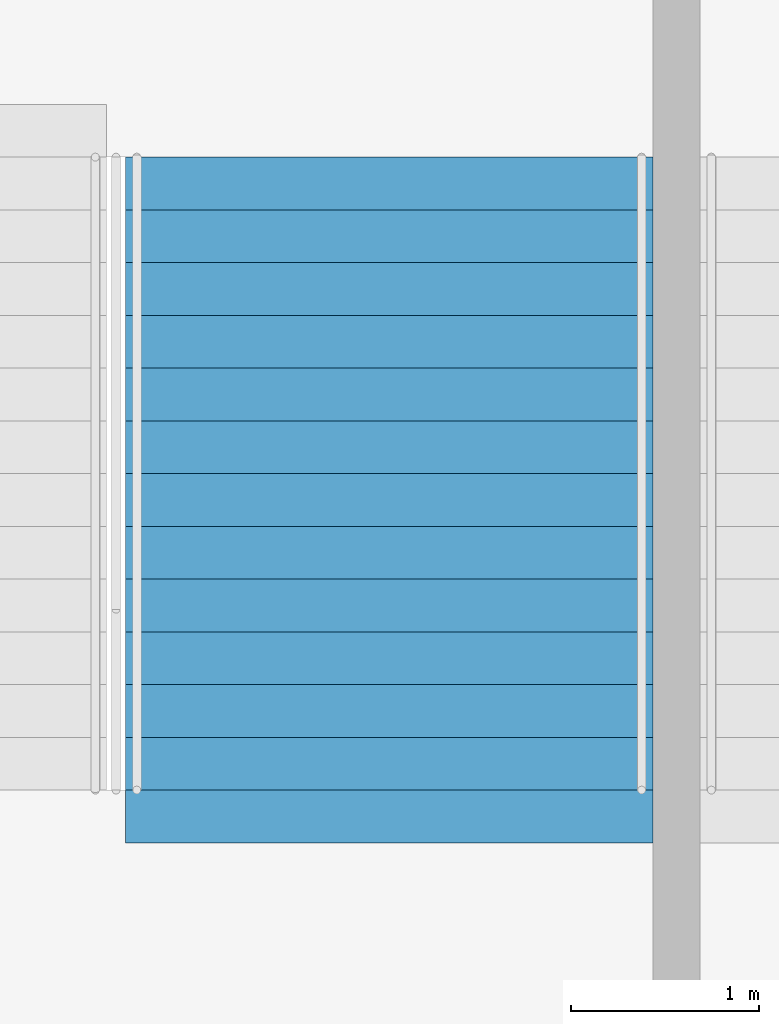
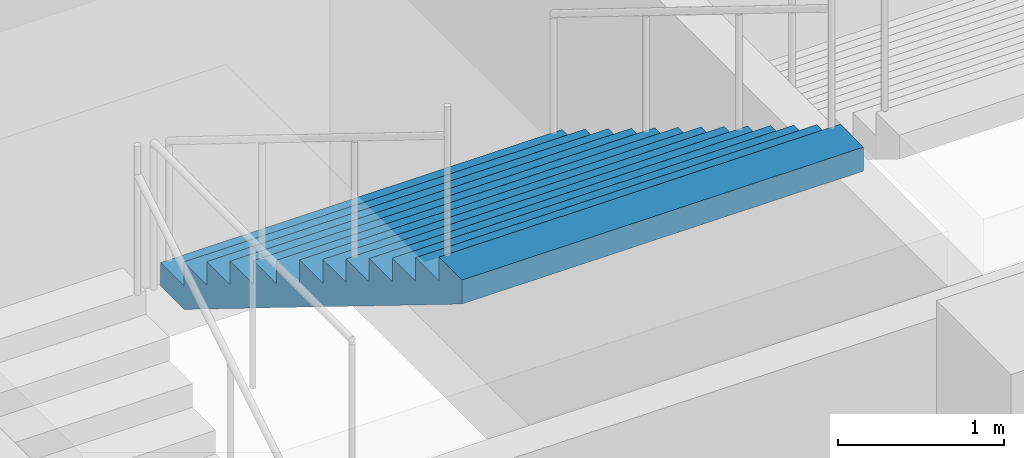
# One storey, part 212 of 249: 1 stair flight, 1 element without a shape of its own.
"""IFC4 building model written with IfcOpenShell, lengths in metres."""

from ifc_helpers import new_model, si_unit, direction, frame, origin, place, context, subcontext, project, spatial, faceted_brep, material, type_object, element, aggregate, save


model = new_model("IFC4")

# Units and contexts
model_context = context("Model", 3, precision=1e-05, world=origin(), true_north=direction((0.0, 1.0)))
body_context = subcontext(model_context, "Body", "Model", "MODEL_VIEW")
ifc_project = project(units=[si_unit("LENGTHUNIT", "METRE"), si_unit("AREAUNIT", "SQUARE_METRE"), si_unit("VOLUMEUNIT", "CUBIC_METRE"), si_unit("PLANEANGLEUNIT", "RADIAN"), si_unit("MASSUNIT", "GRAM", prefix="KILO")], contexts=[model_context])

# Site, building, storey
site_placement = place(None, origin())
site = spatial("IfcSite", under=ifc_project, at=site_placement, CompositionType="ELEMENT")
building_placement = place(site_placement, origin())
building = spatial("IfcBuilding", under=site, at=building_placement, Name="Ogive Plaza Stadium", CompositionType="ELEMENT")
storey_placement = place(building_placement, frame((0.0, 0.0, 13.5)))
storey = spatial("IfcBuildingStorey", under=building, at=storey_placement, Name="L03", CompositionType="ELEMENT", Elevation=13.5)

# Stair, stair flight
ifc_material_1 = material(Name="Concrete C40/50", Category="concrete")
stair_type = type_object("IfcStairType", Name="Exit stair", PredefinedType="STRAIGHT_RUN_STAIR", material=ifc_material_1)
stair_placement = place(storey_placement, origin())
stair = element("IfcStair", 1, at=stair_placement, inside=storey, type_object=stair_type, Name="Exit stair ST34B L03 to L04", PredefinedType="STRAIGHT_RUN_STAIR")
ifc_material_2 = material(Name="Concrete C40/50", Category="concrete")
stair_flight_type = type_object("IfcStairFlightType", Name="Exit stair flight", PredefinedType="STRAIGHT", material=ifc_material_2)
stair_flight_placement = place(storey_placement, frame((-8.324951171875, 98.2099609375, 2.25), z_axis=(0.0, 0.0, 1.0), x_axis=(0.0, -1.0, 0.0)))
stair_flight = element("IfcStairFlight", 2, at=stair_flight_placement, type_object=stair_flight_type, Name="ST34B flight 2", NumberOfRisers=13, NumberOfTreads=12, PredefinedType="STRAIGHT", RiserHeight=0.173076923, TreadLength=0.28, context=body_context, shape_type="Brep", body=[
    faceted_brep([(0.28515625, -1.39990234375, 0.0), (3.639892578125, -1.39990234375, 2.07373046875), (3.639892578125, -1.39990234375, 2.25), (3.360107421875, -1.39990234375, 2.25), (3.360107421875, -1.39990234375, 2.076904296875), (3.080078125, -1.39990234375, 2.076904296875), (3.080078125, -1.39990234375, 1.90380859375), (2.800048828125, -1.39990234375, 1.90380859375), (2.800048828125, -1.39990234375, 1.730712890625), (2.52001953125, -1.39990234375, 1.730712890625), (2.52001953125, -1.39990234375, 1.5576171875), (2.239990234375, -1.39990234375, 1.5576171875), (2.239990234375, -1.39990234375, 1.384521484375), (1.9599609375, -1.39990234375, 1.384521484375), (1.9599609375, -1.39990234375, 1.21142578125), (1.679931640625, -1.39990234375, 1.21142578125), (1.679931640625, -1.39990234375, 1.03857421875), (1.39990234375, -1.39990234375, 1.03857421875), (1.39990234375, -1.39990234375, 0.865478515625), (1.1201171875, -1.39990234375, 0.865478515625), (1.1201171875, -1.39990234375, 0.6923828125), (0.840087890625, -1.39990234375, 0.6923828125), (0.840087890625, -1.39990234375, 0.519287109375), (0.56005859375, -1.39990234375, 0.519287109375), (0.56005859375, -1.39990234375, 0.34619140625), (0.280029296875, -1.39990234375, 0.34619140625), (0.280029296875, -1.39990234375, 0.173095703125), (0.0, -1.39990234375, 0.173095703125), (0.0, -1.39990234375, 0.0), (0.0, 1.39990234375, 0.0), (0.0, 1.39990234375, 0.173095703125), (0.280029296875, 1.39990234375, 0.173095703125), (0.280029296875, 1.39990234375, 0.34619140625), (0.56005859375, 1.39990234375, 0.34619140625), (0.56005859375, 1.39990234375, 0.519287109375), (0.840087890625, 1.39990234375, 0.519287109375), (0.840087890625, 1.39990234375, 0.6923828125), (1.1201171875, 1.39990234375, 0.6923828125), (1.1201171875, 1.39990234375, 0.865478515625), (1.39990234375, 1.39990234375, 0.865478515625), (1.39990234375, 1.39990234375, 1.03857421875), (1.679931640625, 1.39990234375, 1.03857421875), (1.679931640625, 1.39990234375, 1.21142578125), (1.9599609375, 1.39990234375, 1.21142578125), (1.9599609375, 1.39990234375, 1.384521484375), (2.239990234375, 1.39990234375, 1.384521484375), (2.239990234375, 1.39990234375, 1.5576171875), (2.52001953125, 1.39990234375, 1.5576171875), (2.52001953125, 1.39990234375, 1.730712890625), (2.800048828125, 1.39990234375, 1.730712890625), (2.800048828125, 1.39990234375, 1.90380859375), (3.080078125, 1.39990234375, 1.90380859375), (3.080078125, 1.39990234375, 2.076904296875), (3.360107421875, 1.39990234375, 2.076904296875), (3.360107421875, 1.39990234375, 2.25), (3.639892578125, 1.39990234375, 2.25), (3.639892578125, 1.39990234375, 2.07373046875), (0.28515625, 1.39990234375, 0.0), (0.28515625, -1.0888671875, 0.0), (3.639892578125, -1.0888671875, 2.07373046875), (0.28515625, -0.77783203125, 0.0), (3.639892578125, -0.77783203125, 2.07373046875), (0.28515625, -0.466796875, 0.0), (3.639892578125, -0.466796875, 2.07373046875), (0.28515625, -0.155517578125, 0.0), (3.639892578125, -0.155517578125, 2.07373046875), (0.28515625, 0.155517578125, 0.0), (3.639892578125, 0.155517578125, 2.07373046875), (0.28515625, 0.466796875, 0.0), (3.639892578125, 0.466796875, 2.07373046875), (0.28515625, 0.77783203125, 0.0), (3.639892578125, 0.77783203125, 2.07373046875), (0.28515625, 1.0888671875, 0.0), (3.639892578125, 1.0888671875, 2.07373046875), (3.639892578125, -1.0888671875, 2.25), (3.639892578125, -0.77783203125, 2.25), (3.639892578125, -0.466796875, 2.25), (3.639892578125, -0.155517578125, 2.25), (3.639892578125, 0.155517578125, 2.25), (3.639892578125, 0.466796875, 2.25), (3.639892578125, 0.77783203125, 2.25), (3.639892578125, 1.0888671875, 2.25), (3.360107421875, -1.0888671875, 2.25), (3.360107421875, -0.77783203125, 2.25), (3.360107421875, -0.466796875, 2.25), (3.360107421875, -0.155517578125, 2.25), (3.360107421875, 0.155517578125, 2.25), (3.360107421875, 0.466796875, 2.25), (3.360107421875, 0.77783203125, 2.25), (3.360107421875, 1.0888671875, 2.25), (3.360107421875, -1.0888671875, 2.076904296875), (3.360107421875, -0.77783203125, 2.076904296875), (3.360107421875, -0.466796875, 2.076904296875), (3.360107421875, -0.155517578125, 2.076904296875), (3.360107421875, 0.155517578125, 2.076904296875), (3.360107421875, 0.466796875, 2.076904296875), (3.360107421875, 0.77783203125, 2.076904296875), (3.360107421875, 1.0888671875, 2.076904296875), (3.080078125, -1.0888671875, 2.076904296875), (3.080078125, -0.77783203125, 2.076904296875), (3.080078125, -0.466796875, 2.076904296875), (3.080078125, -0.155517578125, 2.076904296875), (3.080078125, 0.155517578125, 2.076904296875), (3.080078125, 0.466796875, 2.076904296875), (3.080078125, 0.77783203125, 2.076904296875), (3.080078125, 1.0888671875, 2.076904296875), (3.080078125, -1.0888671875, 1.90380859375), (3.080078125, -0.77783203125, 1.90380859375), (3.080078125, -0.466796875, 1.90380859375), (3.080078125, -0.155517578125, 1.90380859375), (3.080078125, 0.155517578125, 1.90380859375), (3.080078125, 0.466796875, 1.90380859375), (3.080078125, 0.77783203125, 1.90380859375), (3.080078125, 1.0888671875, 1.90380859375), (2.800048828125, -1.0888671875, 1.90380859375), (2.800048828125, -0.77783203125, 1.90380859375), (2.800048828125, -0.466796875, 1.90380859375), (2.800048828125, -0.155517578125, 1.90380859375), (2.800048828125, 0.155517578125, 1.90380859375), (2.800048828125, 0.466796875, 1.90380859375), (2.800048828125, 0.77783203125, 1.90380859375), (2.800048828125, 1.0888671875, 1.90380859375), (2.800048828125, -1.0888671875, 1.730712890625), (2.800048828125, -0.77783203125, 1.730712890625), (2.800048828125, -0.466796875, 1.730712890625), (2.800048828125, -0.155517578125, 1.730712890625), (2.800048828125, 0.155517578125, 1.730712890625), (2.800048828125, 0.466796875, 1.730712890625), (2.800048828125, 0.77783203125, 1.730712890625), (2.800048828125, 1.0888671875, 1.730712890625), (2.52001953125, -1.0888671875, 1.730712890625), (2.52001953125, -0.77783203125, 1.730712890625), (2.52001953125, -0.466796875, 1.730712890625), (2.52001953125, -0.155517578125, 1.730712890625), (2.52001953125, 0.155517578125, 1.730712890625), (2.52001953125, 0.466796875, 1.730712890625), (2.52001953125, 0.77783203125, 1.730712890625), (2.52001953125, 1.0888671875, 1.730712890625), (2.52001953125, -1.0888671875, 1.5576171875), (2.52001953125, -0.77783203125, 1.5576171875), (2.52001953125, -0.466796875, 1.5576171875), (2.52001953125, -0.155517578125, 1.5576171875), (2.52001953125, 0.155517578125, 1.5576171875), (2.52001953125, 0.466796875, 1.5576171875), (2.52001953125, 0.77783203125, 1.5576171875), (2.52001953125, 1.0888671875, 1.5576171875), (2.239990234375, -1.0888671875, 1.5576171875), (2.239990234375, -0.77783203125, 1.5576171875), (2.239990234375, -0.466796875, 1.5576171875), (2.239990234375, -0.155517578125, 1.5576171875), (2.239990234375, 0.155517578125, 1.5576171875), (2.239990234375, 0.466796875, 1.5576171875), (2.239990234375, 0.77783203125, 1.5576171875), (2.239990234375, 1.0888671875, 1.5576171875), (2.239990234375, -1.0888671875, 1.384521484375), (2.239990234375, -0.77783203125, 1.384521484375), (2.239990234375, -0.466796875, 1.384521484375), (2.239990234375, -0.155517578125, 1.384521484375), (2.239990234375, 0.155517578125, 1.384521484375), (2.239990234375, 0.466796875, 1.384521484375), (2.239990234375, 0.77783203125, 1.384521484375), (2.239990234375, 1.0888671875, 1.384521484375), (1.9599609375, -1.0888671875, 1.384521484375), (1.9599609375, -0.77783203125, 1.384521484375), (1.9599609375, -0.466796875, 1.384521484375), (1.9599609375, -0.155517578125, 1.384521484375), (1.9599609375, 0.155517578125, 1.384521484375), (1.9599609375, 0.466796875, 1.384521484375), (1.9599609375, 0.77783203125, 1.384521484375), (1.9599609375, 1.0888671875, 1.384521484375), (1.9599609375, -1.0888671875, 1.21142578125), (1.9599609375, -0.77783203125, 1.21142578125), (1.9599609375, -0.466796875, 1.21142578125), (1.9599609375, -0.155517578125, 1.21142578125), (1.9599609375, 0.155517578125, 1.21142578125), (1.9599609375, 0.466796875, 1.21142578125), (1.9599609375, 0.77783203125, 1.21142578125), (1.9599609375, 1.0888671875, 1.21142578125), (1.679931640625, -1.0888671875, 1.21142578125), (1.679931640625, -0.77783203125, 1.21142578125), (1.679931640625, -0.466796875, 1.21142578125), (1.679931640625, -0.155517578125, 1.21142578125), (1.679931640625, 0.155517578125, 1.21142578125), (1.679931640625, 0.466796875, 1.21142578125), (1.679931640625, 0.77783203125, 1.21142578125), (1.679931640625, 1.0888671875, 1.21142578125), (1.679931640625, -1.0888671875, 1.03857421875), (1.679931640625, -0.77783203125, 1.03857421875), (1.679931640625, -0.466796875, 1.03857421875), (1.679931640625, -0.155517578125, 1.03857421875), (1.679931640625, 0.155517578125, 1.03857421875), (1.679931640625, 0.466796875, 1.03857421875), (1.679931640625, 0.77783203125, 1.03857421875), (1.679931640625, 1.0888671875, 1.03857421875), (1.39990234375, -1.0888671875, 1.03857421875), (1.39990234375, -0.77783203125, 1.03857421875), (1.39990234375, -0.466796875, 1.03857421875), (1.39990234375, -0.155517578125, 1.03857421875), (1.39990234375, 0.155517578125, 1.03857421875), (1.39990234375, 0.466796875, 1.03857421875), (1.39990234375, 0.77783203125, 1.03857421875), (1.39990234375, 1.0888671875, 1.03857421875), (1.39990234375, -1.0888671875, 0.865478515625), (1.39990234375, -0.77783203125, 0.865478515625), (1.39990234375, -0.466796875, 0.865478515625), (1.39990234375, -0.155517578125, 0.865478515625), (1.39990234375, 0.155517578125, 0.865478515625), (1.39990234375, 0.466796875, 0.865478515625), (1.39990234375, 0.77783203125, 0.865478515625), (1.39990234375, 1.0888671875, 0.865478515625), (1.1201171875, -1.0888671875, 0.865478515625), (1.1201171875, -0.77783203125, 0.865478515625), (1.1201171875, -0.466796875, 0.865478515625), (1.1201171875, -0.155517578125, 0.865478515625), (1.1201171875, 0.155517578125, 0.865478515625), (1.1201171875, 0.466796875, 0.865478515625), (1.1201171875, 0.77783203125, 0.865478515625), (1.1201171875, 1.0888671875, 0.865478515625), (1.1201171875, -1.0888671875, 0.6923828125), (1.1201171875, -0.77783203125, 0.6923828125), (1.1201171875, -0.466796875, 0.6923828125), (1.1201171875, -0.155517578125, 0.6923828125), (1.1201171875, 0.155517578125, 0.6923828125), (1.1201171875, 0.466796875, 0.6923828125), (1.1201171875, 0.77783203125, 0.6923828125), (1.1201171875, 1.0888671875, 0.6923828125), (0.840087890625, -1.0888671875, 0.6923828125), (0.840087890625, -0.77783203125, 0.6923828125), (0.840087890625, -0.466796875, 0.6923828125), (0.840087890625, -0.155517578125, 0.6923828125), (0.840087890625, 0.155517578125, 0.6923828125), (0.840087890625, 0.466796875, 0.6923828125), (0.840087890625, 0.77783203125, 0.6923828125), (0.840087890625, 1.0888671875, 0.6923828125), (0.840087890625, -1.0888671875, 0.519287109375), (0.840087890625, -0.77783203125, 0.519287109375), (0.840087890625, -0.466796875, 0.519287109375), (0.840087890625, -0.155517578125, 0.519287109375), (0.840087890625, 0.155517578125, 0.519287109375), (0.840087890625, 0.466796875, 0.519287109375), (0.840087890625, 0.77783203125, 0.519287109375), (0.840087890625, 1.0888671875, 0.519287109375), (0.56005859375, -1.0888671875, 0.519287109375), (0.56005859375, -0.77783203125, 0.519287109375), (0.56005859375, -0.466796875, 0.519287109375), (0.56005859375, -0.155517578125, 0.519287109375), (0.56005859375, 0.155517578125, 0.519287109375), (0.56005859375, 0.466796875, 0.519287109375), (0.56005859375, 0.77783203125, 0.519287109375), (0.56005859375, 1.0888671875, 0.519287109375), (0.56005859375, -1.0888671875, 0.34619140625), (0.56005859375, -0.77783203125, 0.34619140625), (0.56005859375, -0.466796875, 0.34619140625), (0.56005859375, -0.155517578125, 0.34619140625), (0.56005859375, 0.155517578125, 0.34619140625), (0.56005859375, 0.466796875, 0.34619140625), (0.56005859375, 0.77783203125, 0.34619140625), (0.56005859375, 1.0888671875, 0.34619140625), (0.280029296875, -1.0888671875, 0.34619140625), (0.280029296875, -0.77783203125, 0.34619140625), (0.280029296875, -0.466796875, 0.34619140625), (0.280029296875, -0.155517578125, 0.34619140625), (0.280029296875, 0.155517578125, 0.34619140625), (0.280029296875, 0.466796875, 0.34619140625), (0.280029296875, 0.77783203125, 0.34619140625), (0.280029296875, 1.0888671875, 0.34619140625), (0.280029296875, -1.0888671875, 0.173095703125), (0.280029296875, -0.77783203125, 0.173095703125), (0.280029296875, -0.466796875, 0.173095703125), (0.280029296875, -0.155517578125, 0.173095703125), (0.280029296875, 0.155517578125, 0.173095703125), (0.280029296875, 0.466796875, 0.173095703125), (0.280029296875, 0.77783203125, 0.173095703125), (0.280029296875, 1.0888671875, 0.173095703125), (0.0, -1.0888671875, 0.173095703125), (0.0, -0.77783203125, 0.173095703125), (0.0, -0.466796875, 0.173095703125), (0.0, -0.155517578125, 0.173095703125), (0.0, 0.155517578125, 0.173095703125), (0.0, 0.466796875, 0.173095703125), (0.0, 0.77783203125, 0.173095703125), (0.0, 1.0888671875, 0.173095703125), (0.0, -1.0888671875, 0.0), (0.0, -0.77783203125, 0.0), (0.0, -0.466796875, 0.0), (0.0, -0.155517578125, 0.0), (0.0, 0.155517578125, 0.0), (0.0, 0.466796875, 0.0), (0.0, 0.77783203125, 0.0), (0.0, 1.0888671875, 0.0)], [[[0, 1, 2, 3, 4, 5, 6, 7, 8, 9, 10, 11, 12, 13, 14, 15, 16, 17, 18, 19, 20, 21, 22, 23, 24, 25, 26, 27, 28]], [[29, 30, 31, 32, 33, 34, 35, 36, 37, 38, 39, 40, 41, 42, 43, 44, 45, 46, 47, 48, 49, 50, 51, 52, 53, 54, 55, 56, 57]], [[0, 58, 59, 1]], [[58, 60, 61, 59]], [[60, 62, 63, 61]], [[62, 64, 65, 63]], [[64, 66, 67, 65]], [[66, 68, 69, 67]], [[68, 70, 71, 69]], [[70, 72, 73, 71]], [[72, 57, 56, 73]], [[1, 59, 74, 2]], [[59, 61, 75, 74]], [[61, 63, 76, 75]], [[63, 65, 77, 76]], [[65, 67, 78, 77]], [[67, 69, 79, 78]], [[69, 71, 80, 79]], [[71, 73, 81, 80]], [[73, 56, 55, 81]], [[2, 74, 82, 3]], [[74, 75, 83, 82]], [[75, 76, 84, 83]], [[76, 77, 85, 84]], [[77, 78, 86, 85]], [[78, 79, 87, 86]], [[79, 80, 88, 87]], [[80, 81, 89, 88]], [[81, 55, 54, 89]], [[3, 82, 90, 4]], [[82, 83, 91, 90]], [[83, 84, 92, 91]], [[84, 85, 93, 92]], [[85, 86, 94, 93]], [[86, 87, 95, 94]], [[87, 88, 96, 95]], [[88, 89, 97, 96]], [[89, 54, 53, 97]], [[4, 90, 98, 5]], [[90, 91, 99, 98]], [[91, 92, 100, 99]], [[92, 93, 101, 100]], [[93, 94, 102, 101]], [[94, 95, 103, 102]], [[95, 96, 104, 103]], [[96, 97, 105, 104]], [[97, 53, 52, 105]], [[5, 98, 106, 6]], [[98, 99, 107, 106]], [[99, 100, 108, 107]], [[100, 101, 109, 108]], [[101, 102, 110, 109]], [[102, 103, 111, 110]], [[103, 104, 112, 111]], [[104, 105, 113, 112]], [[105, 52, 51, 113]], [[6, 106, 114, 7]], [[106, 107, 115, 114]], [[107, 108, 116, 115]], [[108, 109, 117, 116]], [[109, 110, 118, 117]], [[110, 111, 119, 118]], [[111, 112, 120, 119]], [[112, 113, 121, 120]], [[113, 51, 50, 121]], [[7, 114, 122, 8]], [[114, 115, 123, 122]], [[115, 116, 124, 123]], [[116, 117, 125, 124]], [[117, 118, 126, 125]], [[118, 119, 127, 126]], [[119, 120, 128, 127]], [[120, 121, 129, 128]], [[121, 50, 49, 129]], [[8, 122, 130, 9]], [[122, 123, 131, 130]], [[123, 124, 132, 131]], [[124, 125, 133, 132]], [[125, 126, 134, 133]], [[126, 127, 135, 134]], [[127, 128, 136, 135]], [[128, 129, 137, 136]], [[129, 49, 48, 137]], [[9, 130, 138, 10]], [[130, 131, 139, 138]], [[131, 132, 140, 139]], [[132, 133, 141, 140]], [[133, 134, 142, 141]], [[134, 135, 143, 142]], [[135, 136, 144, 143]], [[136, 137, 145, 144]], [[137, 48, 47, 145]], [[10, 138, 146, 11]], [[138, 139, 147, 146]], [[139, 140, 148, 147]], [[140, 141, 149, 148]], [[141, 142, 150, 149]], [[142, 143, 151, 150]], [[143, 144, 152, 151]], [[144, 145, 153, 152]], [[145, 47, 46, 153]], [[11, 146, 154, 12]], [[146, 147, 155, 154]], [[147, 148, 156, 155]], [[148, 149, 157, 156]], [[149, 150, 158, 157]], [[150, 151, 159, 158]], [[151, 152, 160, 159]], [[152, 153, 161, 160]], [[153, 46, 45, 161]], [[12, 154, 162, 13]], [[154, 155, 163, 162]], [[155, 156, 164, 163]], [[156, 157, 165, 164]], [[157, 158, 166, 165]], [[158, 159, 167, 166]], [[159, 160, 168, 167]], [[160, 161, 169, 168]], [[161, 45, 44, 169]], [[13, 162, 170, 14]], [[162, 163, 171, 170]], [[163, 164, 172, 171]], [[164, 165, 173, 172]], [[165, 166, 174, 173]], [[166, 167, 175, 174]], [[167, 168, 176, 175]], [[168, 169, 177, 176]], [[169, 44, 43, 177]], [[14, 170, 178, 15]], [[170, 171, 179, 178]], [[171, 172, 180, 179]], [[172, 173, 181, 180]], [[173, 174, 182, 181]], [[174, 175, 183, 182]], [[175, 176, 184, 183]], [[176, 177, 185, 184]], [[177, 43, 42, 185]], [[15, 178, 186, 16]], [[178, 179, 187, 186]], [[179, 180, 188, 187]], [[180, 181, 189, 188]], [[181, 182, 190, 189]], [[182, 183, 191, 190]], [[183, 184, 192, 191]], [[184, 185, 193, 192]], [[185, 42, 41, 193]], [[16, 186, 194, 17]], [[186, 187, 195, 194]], [[187, 188, 196, 195]], [[188, 189, 197, 196]], [[189, 190, 198, 197]], [[190, 191, 199, 198]], [[191, 192, 200, 199]], [[192, 193, 201, 200]], [[193, 41, 40, 201]], [[17, 194, 202, 18]], [[194, 195, 203, 202]], [[195, 196, 204, 203]], [[196, 197, 205, 204]], [[197, 198, 206, 205]], [[198, 199, 207, 206]], [[199, 200, 208, 207]], [[200, 201, 209, 208]], [[201, 40, 39, 209]], [[18, 202, 210, 19]], [[202, 203, 211, 210]], [[203, 204, 212, 211]], [[204, 205, 213, 212]], [[205, 206, 214, 213]], [[206, 207, 215, 214]], [[207, 208, 216, 215]], [[208, 209, 217, 216]], [[209, 39, 38, 217]], [[19, 210, 218, 20]], [[210, 211, 219, 218]], [[211, 212, 220, 219]], [[212, 213, 221, 220]], [[213, 214, 222, 221]], [[214, 215, 223, 222]], [[215, 216, 224, 223]], [[216, 217, 225, 224]], [[217, 38, 37, 225]], [[20, 218, 226, 21]], [[218, 219, 227, 226]], [[219, 220, 228, 227]], [[220, 221, 229, 228]], [[221, 222, 230, 229]], [[222, 223, 231, 230]], [[223, 224, 232, 231]], [[224, 225, 233, 232]], [[225, 37, 36, 233]], [[21, 226, 234, 22]], [[226, 227, 235, 234]], [[227, 228, 236, 235]], [[228, 229, 237, 236]], [[229, 230, 238, 237]], [[230, 231, 239, 238]], [[231, 232, 240, 239]], [[232, 233, 241, 240]], [[233, 36, 35, 241]], [[22, 234, 242, 23]], [[234, 235, 243, 242]], [[235, 236, 244, 243]], [[236, 237, 245, 244]], [[237, 238, 246, 245]], [[238, 239, 247, 246]], [[239, 240, 248, 247]], [[240, 241, 249, 248]], [[241, 35, 34, 249]], [[23, 242, 250, 24]], [[242, 243, 251, 250]], [[243, 244, 252, 251]], [[244, 245, 253, 252]], [[245, 246, 254, 253]], [[246, 247, 255, 254]], [[247, 248, 256, 255]], [[248, 249, 257, 256]], [[249, 34, 33, 257]], [[24, 250, 258, 25]], [[250, 251, 259, 258]], [[251, 252, 260, 259]], [[252, 253, 261, 260]], [[253, 254, 262, 261]], [[254, 255, 263, 262]], [[255, 256, 264, 263]], [[256, 257, 265, 264]], [[257, 33, 32, 265]], [[25, 258, 266, 26]], [[258, 259, 267, 266]], [[259, 260, 268, 267]], [[260, 261, 269, 268]], [[261, 262, 270, 269]], [[262, 263, 271, 270]], [[263, 264, 272, 271]], [[264, 265, 273, 272]], [[265, 32, 31, 273]], [[26, 266, 274, 27]], [[266, 267, 275, 274]], [[267, 268, 276, 275]], [[268, 269, 277, 276]], [[269, 270, 278, 277]], [[270, 271, 279, 278]], [[271, 272, 280, 279]], [[272, 273, 281, 280]], [[273, 31, 30, 281]], [[27, 274, 282, 28]], [[274, 275, 283, 282]], [[275, 276, 284, 283]], [[276, 277, 285, 284]], [[277, 278, 286, 285]], [[278, 279, 287, 286]], [[279, 280, 288, 287]], [[280, 281, 289, 288]], [[281, 30, 29, 289]], [[28, 282, 58, 0]], [[282, 283, 60, 58]], [[283, 284, 62, 60]], [[284, 285, 64, 62]], [[285, 286, 66, 64]], [[286, 287, 68, 66]], [[287, 288, 70, 68]], [[288, 289, 72, 70]], [[289, 29, 57, 72]]]),
])
aggregate(stair, [stair_flight])

save(model, "model.ifc")
